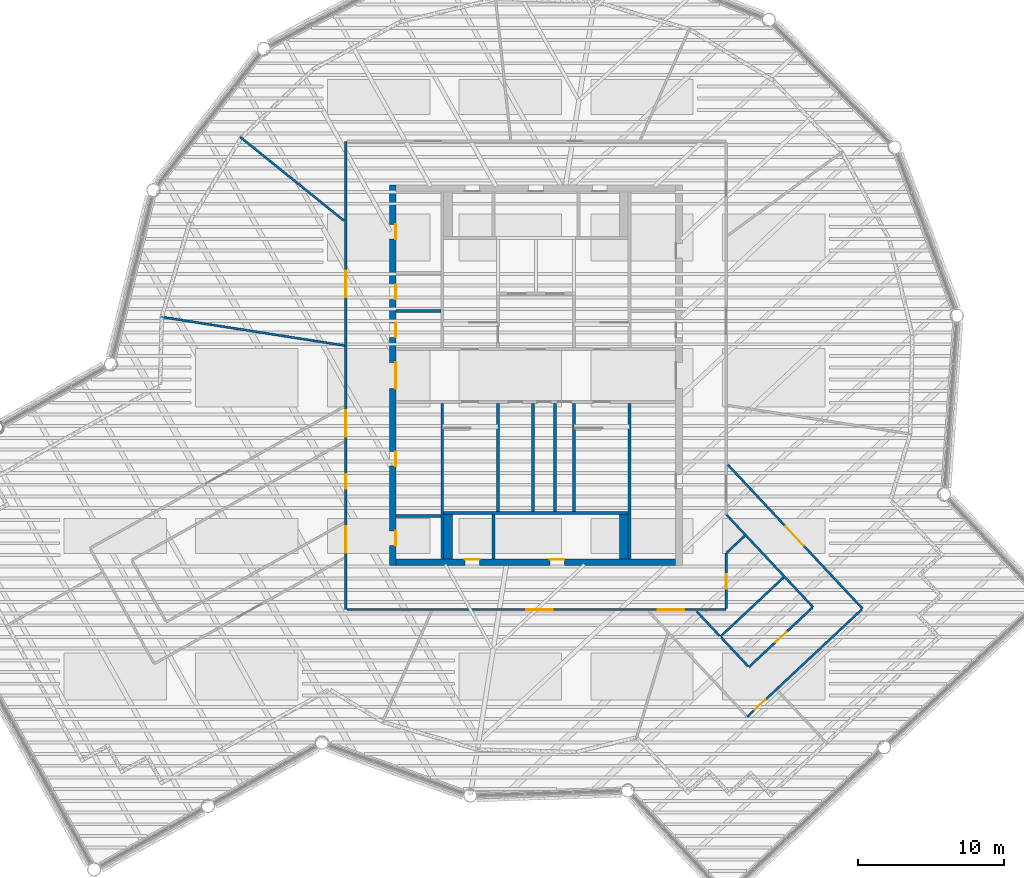
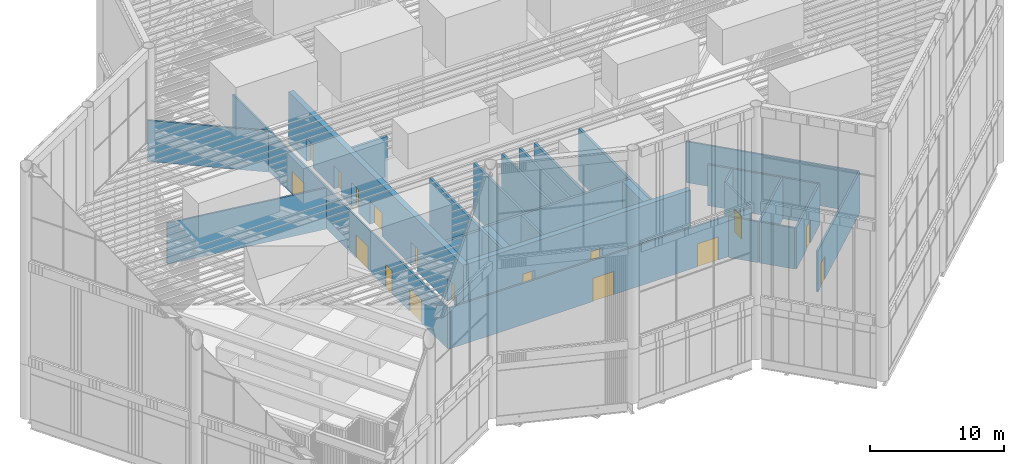
# One storey, part 82 of 117: 27 walls, 18 doors, 18 openings.
"""IFC4 building model written with IfcOpenShell, lengths in metres."""

from ifc_helpers import new_model, si_unit, direction, frame, frame_2d, origin, place, context, subcontext, project, spatial, rectangle, extrude, material, layer, layer_set, type_object, element, fill, save


model = new_model("IFC4")

# Units and contexts
model_context = context("Model", 3, precision=1e-05, world=origin(), true_north=direction((0.0, 1.0)))
body_context = subcontext(model_context, "Body", "Model", "MODEL_VIEW")
ifc_project = project(units=[si_unit("LENGTHUNIT", "METRE"), si_unit("AREAUNIT", "SQUARE_METRE"), si_unit("VOLUMEUNIT", "CUBIC_METRE"), si_unit("PLANEANGLEUNIT", "RADIAN"), si_unit("MASSUNIT", "GRAM", prefix="KILO")], contexts=[model_context])

# Site, building, storey
site_placement = place(None, origin())
site = spatial("IfcSite", under=ifc_project, at=site_placement, CompositionType="ELEMENT")
building_placement = place(site_placement, origin())
building = spatial("IfcBuilding", under=site, at=building_placement, Name="Tarsis Ring Headquarters", CompositionType="ELEMENT")
storey_placement = place(building_placement, frame((0.0, 0.0, 403.60009765625)))
storey = spatial("IfcBuildingStorey", under=building, at=storey_placement, Name="L95", CompositionType="ELEMENT", Elevation=403.60009765625)

# Walls
ifc_material_1 = material(Name="Blockwork", Category="masonry")
ifc_layer_1 = layer(ifc_material_1, 0.199951171875)
ifc_layer_set_1 = layer_set([ifc_layer_1], Name="Core blockwork wall 200")
wall_type_1 = type_object("IfcWallType", Name="Core blockwork wall 200", PredefinedType="PARTITIONING", material=ifc_layer_set_1)
for number, where, z_axis, x_axis, name in (
    (1, (-9.550048828125, -9.60009765625, 0.0), (0.0, 0.0, 1.0), (1.0, 0.0, 0.0), "Core partition WD1"),
    (2, (-9.550048828125, 4.39990234375, 0.0), (0.0, 0.0, 1.0), (1.0, 0.0, 0.0), "Core partition WD5"),
    (3, (-2.89990234375, -12.550048828125, 0.0), (0.0, 0.0, 1.0), (0.0, 1.0, 0.0), "Core partition SD1"),
):
    element("IfcWall", number, at=place(storey_placement, frame(where, z_axis=z_axis, x_axis=x_axis)), inside=storey, type_object=wall_type_1, Name=name, PredefinedType="PARTITIONING", context=body_context, shape_type="SweptSolid", body=[
        extrude(rectangle(XDim=3.050048828125, YDim=0.199951171875, at=frame_2d((1.52490234375, 0.0))), origin(), (0.0, 0.0, 1.0), 4.699951171875),
    ])
for number, where, z_axis, x_axis, name in (
    (4, (-0.199951171875, -9.300048828125, 0.0), (0.0, 0.0, 1.0), (0.0, 1.0, 0.0), "Core partition SV1"),
    (5, (1.300048828125, -9.300048828125, 0.0), (0.0, 0.0, 1.0), (0.0, 1.0, 0.0), "Core partition SV2"),
):
    element("IfcWall", number, at=place(storey_placement, frame(where, z_axis=z_axis, x_axis=x_axis)), inside=storey, type_object=wall_type_1, Name=name, PredefinedType="PARTITIONING", context=body_context, shape_type="SweptSolid", body=[
        extrude(rectangle(XDim=7.400146484375, YDim=0.199951171875, at=frame_2d((3.7001953125, 0.0))), origin(), (0.0, 0.0, 1.0), 4.699951171875),
    ])

# Wall, openings, doors
ifc_material_2 = material(Name="Concrete C50/60", Category="concrete")
ifc_layer_2 = layer(ifc_material_2, 0.449951171875)
ifc_layer_set_2 = layer_set([ifc_layer_2], Name="Core wall 450 C50/60")
wall_type_2 = type_object("IfcWallType", Name="Core wall 450 C50/60", PredefinedType="SHEAR", material=ifc_layer_set_2)
wall_1_placement = place(storey_placement, frame((-9.77490234375, -13.0, 0.0), z_axis=(0.0, 0.0, 1.0), x_axis=(0.0, 1.0, 0.0)))
wall_1 = element("IfcWall", 6, at=wall_1_placement, inside=storey, type_object=wall_type_2, Name="Core wall OW", PredefinedType="SHEAR", context=body_context, shape_type="SweptSolid", body=[
    extrude(rectangle(XDim=26.0, YDim=0.449951171875, at=frame_2d((13.0, 0.0))), origin(), (0.0, 0.0, 1.0), 4.699951171875),
])
opening_1_placement = place(wall_1_placement, frame((1.375, 0.0, 0.0)))
opening_1 = element("IfcOpeningElement", 7, at=opening_1_placement, cuts=wall_1, Name="Opening L95-C01", PredefinedType="OPENING", context=body_context, shape_type="SweptSolid", body=[
    extrude(rectangle(XDim=1.0, YDim=2.10009765625, at=frame_2d((0.5, 1.050048828125))), frame((0.0, 0.23486328125, 0.0), z_axis=(0.0, -1.0, 0.0), x_axis=(1.0, 0.0, 0.0)), (0.0, 0.0, 1.0), 0.469970703125),
])
opening_2_placement = place(wall_1_placement, frame((6.800048828125, 0.0, 0.0)))
opening_2 = element("IfcOpeningElement", 8, at=opening_2_placement, cuts=wall_1, Name="Opening L95-C02", PredefinedType="OPENING", context=body_context, shape_type="SweptSolid", body=[
    extrude(rectangle(XDim=1.0, YDim=2.10009765625, at=frame_2d((0.5, 1.050048828125))), frame((0.0, 0.23486328125, 0.0), z_axis=(0.0, -1.0, 0.0), x_axis=(1.0, 0.0, 0.0)), (0.0, 0.0, 1.0), 0.469970703125),
])
opening_3_placement = place(wall_1_placement, frame((12.10009765625, 0.0, 0.0)))
opening_3 = element("IfcOpeningElement", 9, at=opening_3_placement, cuts=wall_1, Name="Opening L95-C03", PredefinedType="OPENING", context=body_context, shape_type="SweptSolid", body=[
    extrude(rectangle(XDim=1.800048828125, YDim=2.10009765625, at=frame_2d((0.89990234375, 1.050048828125))), frame((0.0, 0.23486328125, 0.0), z_axis=(0.0, -1.0, 0.0), x_axis=(1.0, 0.0, 0.0)), (0.0, 0.0, 1.0), 0.469970703125),
])
opening_4_placement = place(wall_1_placement, frame((15.60009765625, 0.0, 0.0)))
opening_4 = element("IfcOpeningElement", 10, at=opening_4_placement, cuts=wall_1, Name="Opening L95-C04", PredefinedType="OPENING", context=body_context, shape_type="SweptSolid", body=[
    extrude(rectangle(XDim=1.0, YDim=2.10009765625, at=frame_2d((0.5, 1.050048828125))), frame((0.0, 0.23486328125, 0.0), z_axis=(0.0, -1.0, 0.0), x_axis=(1.0, 0.0, 0.0)), (0.0, 0.0, 1.0), 0.469970703125),
])
opening_5_placement = place(wall_1_placement, frame((18.199951171875, 0.0, 0.0)))
opening_5 = element("IfcOpeningElement", 11, at=opening_5_placement, cuts=wall_1, Name="Opening L95-C05", PredefinedType="OPENING", context=body_context, shape_type="SweptSolid", body=[
    extrude(rectangle(XDim=1.0, YDim=2.10009765625, at=frame_2d((0.5, 1.050048828125))), frame((0.0, 0.23486328125, 0.0), z_axis=(0.0, -1.0, 0.0), x_axis=(1.0, 0.0, 0.0)), (0.0, 0.0, 1.0), 0.469970703125),
])
opening_6_placement = place(wall_1_placement, frame((22.324951171875, 0.0, 0.0)))
opening_6 = element("IfcOpeningElement", 12, at=opening_6_placement, cuts=wall_1, Name="Opening L95-C06", PredefinedType="OPENING", context=body_context, shape_type="SweptSolid", body=[
    extrude(rectangle(XDim=1.0, YDim=2.10009765625, at=frame_2d((0.5, 1.050048828125))), frame((0.0, 0.23486328125, 0.0), z_axis=(0.0, -1.0, 0.0), x_axis=(1.0, 0.0, 0.0)), (0.0, 0.0, 1.0), 0.469970703125),
])
ifc_material_3 = material(Name="Steel S355", Category="steel")
door_type_1 = type_object("IfcDoorType", Name="Core entry door 1800x2100", OperationType="DOUBLE_DOOR_SINGLE_SWING", PredefinedType="DOOR", material=ifc_material_3)
door_1_placement = place(opening_3_placement, origin())
door_1 = element("IfcDoor", 13, at=door_1_placement, inside=storey, type_object=door_type_1, Name="Core entry door L95", OperationType="DOUBLE_DOOR_SINGLE_SWING", OverallHeight=2.10009765625, OverallWidth=1.800048828125, PredefinedType="DOOR", context=body_context, shape_type="SweptSolid", body=[
    extrude(rectangle(XDim=1.800048828125, YDim=2.10009765625, at=frame_2d((0.89990234375, 1.050048828125))), frame((0.0, -0.1748046875, 0.0), z_axis=(0.0, -1.0, 0.0), x_axis=(1.0, 0.0, 0.0)), (0.0, 0.0, 1.0), 0.050048828125),
])
fill(opening_3, door_1)
door_type_2 = type_object("IfcDoorType", Name="Core room door 1000x2100", OperationType="SINGLE_SWING_LEFT", PredefinedType="DOOR", material=ifc_material_3)
door_2_placement = place(opening_1_placement, origin())
door_2 = element("IfcDoor", 14, at=door_2_placement, inside=storey, type_object=door_type_2, Name="Core room door L95", OperationType="SINGLE_SWING_LEFT", OverallHeight=2.10009765625, OverallWidth=1.0, PredefinedType="DOOR", context=body_context, shape_type="SweptSolid", body=[
    extrude(rectangle(XDim=1.0, YDim=2.10009765625, at=frame_2d((0.5, 1.050048828125))), frame((0.0, -0.1748046875, 0.0), z_axis=(0.0, -1.0, 0.0), x_axis=(1.0, 0.0, 0.0)), (0.0, 0.0, 1.0), 0.050048828125),
])
fill(opening_1, door_2)
door_3_placement = place(opening_2_placement, origin())
door_3 = element("IfcDoor", 15, at=door_3_placement, inside=storey, type_object=door_type_2, Name="Core room door L95", OperationType="SINGLE_SWING_LEFT", OverallHeight=2.10009765625, OverallWidth=1.0, PredefinedType="DOOR", context=body_context, shape_type="SweptSolid", body=[
    extrude(rectangle(XDim=1.0, YDim=2.10009765625, at=frame_2d((0.5, 1.050048828125))), frame((0.0, -0.1748046875, 0.0), z_axis=(0.0, -1.0, 0.0), x_axis=(1.0, 0.0, 0.0)), (0.0, 0.0, 1.0), 0.050048828125),
])
fill(opening_2, door_3)
door_4_placement = place(opening_4_placement, origin())
door_4 = element("IfcDoor", 16, at=door_4_placement, inside=storey, type_object=door_type_2, Name="Core room door L95", OperationType="SINGLE_SWING_LEFT", OverallHeight=2.10009765625, OverallWidth=1.0, PredefinedType="DOOR", context=body_context, shape_type="SweptSolid", body=[
    extrude(rectangle(XDim=1.0, YDim=2.10009765625, at=frame_2d((0.5, 1.050048828125))), frame((0.0, -0.1748046875, 0.0), z_axis=(0.0, -1.0, 0.0), x_axis=(1.0, 0.0, 0.0)), (0.0, 0.0, 1.0), 0.050048828125),
])
fill(opening_4, door_4)
door_5_placement = place(opening_5_placement, origin())
door_5 = element("IfcDoor", 17, at=door_5_placement, inside=storey, type_object=door_type_2, Name="Core room door L95", OperationType="SINGLE_SWING_LEFT", OverallHeight=2.10009765625, OverallWidth=1.0, PredefinedType="DOOR", context=body_context, shape_type="SweptSolid", body=[
    extrude(rectangle(XDim=1.0, YDim=2.10009765625, at=frame_2d((0.5, 1.050048828125))), frame((0.0, -0.1748046875, 0.0), z_axis=(0.0, -1.0, 0.0), x_axis=(1.0, 0.0, 0.0)), (0.0, 0.0, 1.0), 0.050048828125),
])
fill(opening_5, door_5)
door_6_placement = place(opening_6_placement, origin())
door_6 = element("IfcDoor", 18, at=door_6_placement, inside=storey, type_object=door_type_2, Name="Core room door L95", OperationType="SINGLE_SWING_LEFT", OverallHeight=2.10009765625, OverallWidth=1.0, PredefinedType="DOOR", context=body_context, shape_type="SweptSolid", body=[
    extrude(rectangle(XDim=1.0, YDim=2.10009765625, at=frame_2d((0.5, 1.050048828125))), frame((0.0, -0.1748046875, 0.0), z_axis=(0.0, -1.0, 0.0), x_axis=(1.0, 0.0, 0.0)), (0.0, 0.0, 1.0), 0.050048828125),
])
fill(opening_6, door_6)

wall_2_placement = place(storey_placement, frame((-9.550048828125, -12.77490234375, 0.0), z_axis=(0.0, 0.0, 1.0), x_axis=(1.0, 0.0, 0.0)))
wall_2 = element("IfcWall", 19, at=wall_2_placement, inside=storey, type_object=wall_type_2, Name="Core wall OS", PredefinedType="SHEAR", context=body_context, shape_type="SweptSolid", body=[
    extrude(rectangle(XDim=19.10009765625, YDim=0.449951171875, at=frame_2d((9.550048828125, 0.0))), origin(), (0.0, 0.0, 1.0), 4.699951171875),
])
opening_7_placement = place(wall_2_placement, frame((4.699951171875, 0.0, 0.0)))
opening_7 = element("IfcOpeningElement", 20, at=opening_7_placement, cuts=wall_2, Name="Opening L95-C14", PredefinedType="OPENING", context=body_context, shape_type="SweptSolid", body=[
    extrude(rectangle(XDim=1.0, YDim=2.10009765625, at=frame_2d((0.5, 1.050048828125))), frame((0.0, 0.23486328125, 0.0), z_axis=(0.0, -1.0, 0.0), x_axis=(1.0, 0.0, 0.0)), (0.0, 0.0, 1.0), 0.469970703125),
])
opening_8_placement = place(wall_2_placement, frame((10.5, 0.0, 0.0)))
opening_8 = element("IfcOpeningElement", 21, at=opening_8_placement, cuts=wall_2, Name="Opening L95-C15", PredefinedType="OPENING", context=body_context, shape_type="SweptSolid", body=[
    extrude(rectangle(XDim=1.0, YDim=2.10009765625, at=frame_2d((0.5, 1.050048828125))), frame((0.0, 0.23486328125, 0.0), z_axis=(0.0, -1.0, 0.0), x_axis=(1.0, 0.0, 0.0)), (0.0, 0.0, 1.0), 0.469970703125),
])
door_7_placement = place(opening_7_placement, origin())
door_7 = element("IfcDoor", 22, at=door_7_placement, inside=storey, type_object=door_type_2, Name="Core room door L95", OperationType="SINGLE_SWING_LEFT", OverallHeight=2.10009765625, OverallWidth=1.0, PredefinedType="DOOR", context=body_context, shape_type="SweptSolid", body=[
    extrude(rectangle(XDim=1.0, YDim=2.10009765625, at=frame_2d((0.5, 1.050048828125))), frame((0.0, 0.22509765625, 0.0), z_axis=(0.0, -1.0, 0.0), x_axis=(1.0, 0.0, 0.0)), (0.0, 0.0, 1.0), 0.050048828125),
])
fill(opening_7, door_7)
door_8_placement = place(opening_8_placement, origin())
door_8 = element("IfcDoor", 23, at=door_8_placement, inside=storey, type_object=door_type_2, Name="Core room door L95", OperationType="SINGLE_SWING_LEFT", OverallHeight=2.10009765625, OverallWidth=1.0, PredefinedType="DOOR", context=body_context, shape_type="SweptSolid", body=[
    extrude(rectangle(XDim=1.0, YDim=2.10009765625, at=frame_2d((0.5, 1.050048828125))), frame((0.0, 0.22509765625, 0.0), z_axis=(0.0, -1.0, 0.0), x_axis=(1.0, 0.0, 0.0)), (0.0, 0.0, 1.0), 0.050048828125),
])
fill(opening_8, door_8)

ifc_material_4 = material(Name="Gypsum board on steel studs", Category="steel")
ifc_layer_3 = layer(ifc_material_4, 0.14990234375)
ifc_layer_set_3 = layer_set([ifc_layer_3], Name="FL partition 150 EI 120 H3730")
wall_type_3 = type_object("IfcWallType", Name="FL partition 150 EI 120 H3730", PredefinedType="PARTITIONING", material=ifc_layer_set_3)
wall_3_placement = place(storey_placement, frame((-13.0, -16.0, 0.0), z_axis=(0.0, 0.0, 1.0), x_axis=(0.0, 1.0, 0.0)))
wall_3 = element("IfcWall", 24, at=wall_3_placement, inside=storey, type_object=wall_type_3, Name="Partition PW2H373", PredefinedType="PARTITIONING", context=body_context, shape_type="SweptSolid", body=[
    extrude(rectangle(XDim=32.0, YDim=0.14990234375, at=frame_2d((16.0, 0.0))), origin(), (0.0, 0.0, 1.0), 3.72998046875),
])
opening_9_placement = place(wall_3_placement, frame((21.356689453125, 0.0, 0.0)))
opening_9 = element("IfcOpeningElement", 25, at=opening_9_placement, cuts=wall_3, Name="Opening D95.03", PredefinedType="OPENING", context=body_context, shape_type="SweptSolid", body=[
    extrude(rectangle(XDim=1.800048828125, YDim=2.10009765625, at=frame_2d((0.89990234375, 1.050048828125))), frame((0.0, 0.0849609375, 0.0), z_axis=(0.0, -1.0, 0.0), x_axis=(1.0, 0.0, 0.0)), (0.0, 0.0, 1.0), 0.169921875),
])
opening_10_placement = place(wall_3_placement, frame((8.25830078125, 0.0, 0.0)))
opening_10 = element("IfcOpeningElement", 26, at=opening_10_placement, cuts=wall_3, Name="Opening D95.11", PredefinedType="OPENING", context=body_context, shape_type="SweptSolid", body=[
    extrude(rectangle(XDim=1.0, YDim=2.10009765625, at=frame_2d((0.5, 1.050048828125))), frame((0.0, 0.0849609375, 0.0), z_axis=(0.0, -1.0, 0.0), x_axis=(1.0, 0.0, 0.0)), (0.0, 0.0, 1.0), 0.169921875),
])
opening_11_placement = place(wall_3_placement, frame((3.88623046875, 0.0, 0.0)))
opening_11 = element("IfcOpeningElement", 27, at=opening_11_placement, cuts=wall_3, Name="Opening D95.16", PredefinedType="OPENING", context=body_context, shape_type="SweptSolid", body=[
    extrude(rectangle(XDim=1.800048828125, YDim=2.10009765625, at=frame_2d((0.89990234375, 1.050048828125))), frame((0.0, 0.0849609375, 0.0), z_axis=(0.0, -1.0, 0.0), x_axis=(1.0, 0.0, 0.0)), (0.0, 0.0, 1.0), 0.169921875),
])
opening_12_placement = place(wall_3_placement, frame((11.830322265625, 0.0, 0.0)))
opening_12 = element("IfcOpeningElement", 28, at=opening_12_placement, cuts=wall_3, Name="Opening D95.17", PredefinedType="OPENING", context=body_context, shape_type="SweptSolid", body=[
    extrude(rectangle(XDim=1.800048828125, YDim=2.10009765625, at=frame_2d((0.89990234375, 1.050048828125))), frame((0.0, 0.0849609375, 0.0), z_axis=(0.0, -1.0, 0.0), x_axis=(1.0, 0.0, 0.0)), (0.0, 0.0, 1.0), 0.169921875),
])
ifc_material_5 = material(Name="Fire-rated timber door leaf in steel frame", Category="steel")
door_type_3 = type_object("IfcDoorType", Name="FL door FD120-1000", OperationType="NOTDEFINED", PredefinedType="DOOR", material=ifc_material_5)
door_9_placement = place(opening_10_placement, origin())
door_9 = element("IfcDoor", 29, at=door_9_placement, inside=storey, type_object=door_type_3, Name="Door D95.11", OperationType="SINGLE_SWING_RIGHT", OverallHeight=2.10009765625, OverallWidth=1.0, PredefinedType="DOOR", context=body_context, shape_type="SweptSolid", body=[
    extrude(rectangle(XDim=1.0, YDim=2.10009765625, at=frame_2d((0.5, 1.050048828125))), frame((0.0, 0.02490234375, 0.0), z_axis=(0.0, -1.0, 0.0), x_axis=(1.0, 0.0, 0.0)), (0.0, 0.0, 1.0), 0.050048828125),
])
fill(opening_10, door_9)
door_type_4 = type_object("IfcDoorType", Name="FL door FD120-1800", OperationType="DOUBLE_DOOR_SINGLE_SWING", PredefinedType="DOOR", material=ifc_material_5)
door_10_placement = place(opening_9_placement, origin())
door_10 = element("IfcDoor", 30, at=door_10_placement, inside=storey, type_object=door_type_4, Name="Door D95.03", OperationType="DOUBLE_DOOR_SINGLE_SWING", OverallHeight=2.10009765625, OverallWidth=1.800048828125, PredefinedType="DOOR", context=body_context, shape_type="SweptSolid", body=[
    extrude(rectangle(XDim=1.800048828125, YDim=2.10009765625, at=frame_2d((0.89990234375, 1.050048828125))), frame((0.0, 0.02490234375, 0.0), z_axis=(0.0, -1.0, 0.0), x_axis=(1.0, 0.0, 0.0)), (0.0, 0.0, 1.0), 0.050048828125),
])
fill(opening_9, door_10)
door_11_placement = place(opening_11_placement, origin())
door_11 = element("IfcDoor", 31, at=door_11_placement, inside=storey, type_object=door_type_4, Name="Door D95.16", OperationType="DOUBLE_DOOR_SINGLE_SWING", OverallHeight=2.10009765625, OverallWidth=1.800048828125, PredefinedType="DOOR", context=body_context, shape_type="SweptSolid", body=[
    extrude(rectangle(XDim=1.800048828125, YDim=2.10009765625, at=frame_2d((0.89990234375, 1.050048828125))), frame((0.0, 0.02490234375, 0.0), z_axis=(0.0, -1.0, 0.0), x_axis=(1.0, 0.0, 0.0)), (0.0, 0.0, 1.0), 0.050048828125),
])
fill(opening_11, door_11)
door_12_placement = place(opening_12_placement, origin())
door_12 = element("IfcDoor", 32, at=door_12_placement, inside=storey, type_object=door_type_4, Name="Door D95.17", OperationType="DOUBLE_DOOR_SINGLE_SWING", OverallHeight=2.10009765625, OverallWidth=1.800048828125, PredefinedType="DOOR", context=body_context, shape_type="SweptSolid", body=[
    extrude(rectangle(XDim=1.800048828125, YDim=2.10009765625, at=frame_2d((0.89990234375, 1.050048828125))), frame((0.0, 0.02490234375, 0.0), z_axis=(0.0, -1.0, 0.0), x_axis=(1.0, 0.0, 0.0)), (0.0, 0.0, 1.0), 0.050048828125),
])
fill(opening_12, door_12)

wall_4_placement = place(storey_placement, frame((-12.919921875, -16.0, 0.0), z_axis=(0.0, 0.0, 1.0), x_axis=(1.0, 0.0, 0.0)))
wall_4 = element("IfcWall", 33, at=wall_4_placement, inside=storey, type_object=wall_type_3, Name="Partition PW2H373", PredefinedType="PARTITIONING", context=body_context, shape_type="SweptSolid", body=[
    extrude(rectangle(XDim=25.9189453125, YDim=0.14990234375, at=frame_2d((12.95947265625, 0.0))), origin(), (0.0, 0.0, 1.0), 3.72998046875),
])
opening_13_placement = place(wall_4_placement, frame((12.270751953125, 0.0, 0.0)))
opening_13 = element("IfcOpeningElement", 34, at=opening_13_placement, cuts=wall_4, Name="Opening D95.10", PredefinedType="OPENING", context=body_context, shape_type="SweptSolid", body=[
    extrude(rectangle(XDim=1.800048828125, YDim=2.10009765625, at=frame_2d((0.89990234375, 1.050048828125))), frame((0.0, 0.0849609375, 0.0), z_axis=(0.0, -1.0, 0.0), x_axis=(1.0, 0.0, 0.0)), (0.0, 0.0, 1.0), 0.169921875),
])
opening_14_placement = place(wall_4_placement, frame((21.2490234375, 0.0, 0.0)))
opening_14 = element("IfcOpeningElement", 35, at=opening_14_placement, cuts=wall_4, Name="Opening D95.14", PredefinedType="OPENING", context=body_context, shape_type="SweptSolid", body=[
    extrude(rectangle(XDim=1.800048828125, YDim=2.10009765625, at=frame_2d((0.89990234375, 1.050048828125))), frame((0.0, 0.0849609375, 0.0), z_axis=(0.0, -1.0, 0.0), x_axis=(1.0, 0.0, 0.0)), (0.0, 0.0, 1.0), 0.169921875),
])
door_13_placement = place(opening_13_placement, origin())
door_13 = element("IfcDoor", 36, at=door_13_placement, inside=storey, type_object=door_type_4, Name="Door D95.10", OperationType="DOUBLE_DOOR_SINGLE_SWING", OverallHeight=2.10009765625, OverallWidth=1.800048828125, PredefinedType="DOOR", context=body_context, shape_type="SweptSolid", body=[
    extrude(rectangle(XDim=1.800048828125, YDim=2.10009765625, at=frame_2d((0.89990234375, 1.050048828125))), frame((0.0, 0.02490234375, 0.0), z_axis=(0.0, -1.0, 0.0), x_axis=(1.0, 0.0, 0.0)), (0.0, 0.0, 1.0), 0.050048828125),
])
fill(opening_13, door_13)
door_14_placement = place(opening_14_placement, origin())
door_14 = element("IfcDoor", 37, at=door_14_placement, inside=storey, type_object=door_type_4, Name="Door D95.14", OperationType="DOUBLE_DOOR_SINGLE_SWING", OverallHeight=2.10009765625, OverallWidth=1.800048828125, PredefinedType="DOOR", context=body_context, shape_type="SweptSolid", body=[
    extrude(rectangle(XDim=1.800048828125, YDim=2.10009765625, at=frame_2d((0.89990234375, 1.050048828125))), frame((0.0, 0.02490234375, 0.0), z_axis=(0.0, -1.0, 0.0), x_axis=(1.0, 0.0, 0.0)), (0.0, 0.0, 1.0), 0.050048828125),
])
fill(opening_14, door_14)

# Wall, opening, door
wall_5_placement = place(storey_placement, frame((13.1162109375, -6.106201171875, 0.0), z_axis=(0.0, 0.0, 1.0), x_axis=(0.683531578778, -0.729920941481, 0.0)))
wall_5 = element("IfcWall", 38, at=wall_5_placement, inside=storey, type_object=wall_type_3, Name="Partition PW2H373", PredefinedType="PARTITIONING", context=body_context, shape_type="SweptSolid", body=[
    extrude(rectangle(XDim=13.4677734375, YDim=0.14990234375, at=frame_2d((6.73388671875, 0.0))), origin(), (0.0, 0.0, 1.0), 3.72998046875),
])
opening_15_placement = place(wall_5_placement, frame((5.748779296875, 0.0, 0.0)))
opening_15 = element("IfcOpeningElement", 39, at=opening_15_placement, cuts=wall_5, Name="Opening D95.08", PredefinedType="OPENING", context=body_context, shape_type="SweptSolid", body=[
    extrude(rectangle(XDim=1.800048828125, YDim=2.10009765625, at=frame_2d((0.89990234375, 1.050048828125))), frame((0.0, 0.0849609375, 0.0), z_axis=(0.0, -1.0, 0.0), x_axis=(1.0, 0.0, 0.0)), (0.0, 0.0, 1.0), 0.169921875),
])
door_15_placement = place(opening_15_placement, origin())
door_15 = element("IfcDoor", 40, at=door_15_placement, inside=storey, type_object=door_type_4, Name="Door D95.08", OperationType="DOUBLE_DOOR_SINGLE_SWING", OverallHeight=2.10009765625, OverallWidth=1.800048828125, PredefinedType="DOOR", context=body_context, shape_type="SweptSolid", body=[
    extrude(rectangle(XDim=1.800048828125, YDim=2.10009765625, at=frame_2d((0.89990234375, 1.050048828125))), frame((0.0, 0.02490234375, 0.0), z_axis=(0.0, -1.0, 0.0), x_axis=(1.0, 0.0, 0.0)), (0.0, 0.0, 1.0), 0.050048828125),
])
fill(opening_15, door_15)

# Wall
wall_6_placement = place(storey_placement, frame((-25.63671875, 4.005615234375, 0.0), z_axis=(0.0, 0.0, 1.0), x_axis=(0.988011667522, -0.154379224121, 0.0)))
element("IfcWall", 41, at=wall_6_placement, inside=storey, type_object=wall_type_3, Name="Partition PW2H373", PredefinedType="PARTITIONING", context=body_context, shape_type="SweptSolid", body=[
    extrude(rectangle(XDim=12.7099609375, YDim=0.14990234375, at=frame_2d((6.35498046875, 0.0))), origin(), (0.0, 0.0, 1.0), 3.72998046875),
])

# Wall, opening, door
wall_7_placement = place(storey_placement, frame((14.4384765625, -23.318603515625, 0.0), z_axis=(0.0, 0.0, 1.0), x_axis=(0.729922029357, 0.68353041707, 0.0)))
wall_7 = element("IfcWall", 42, at=wall_7_placement, inside=storey, type_object=wall_type_3, Name="Partition PW2H373", PredefinedType="PARTITIONING", context=body_context, shape_type="SweptSolid", body=[
    extrude(rectangle(XDim=10.719970703125, YDim=0.14990234375, at=frame_2d((5.35986328125, 0.0))), origin(), (0.0, 0.0, 1.0), 3.72998046875),
])
opening_16_placement = place(wall_7_placement, frame((0.699951171875, 0.0, 0.0)))
opening_16 = element("IfcOpeningElement", 43, at=opening_16_placement, cuts=wall_7, Name="Opening D95.09", PredefinedType="OPENING", context=body_context, shape_type="SweptSolid", body=[
    extrude(rectangle(XDim=1.0, YDim=2.10009765625, at=frame_2d((0.5, 1.050048828125))), frame((0.0, 0.0849609375, 0.0), z_axis=(0.0, -1.0, 0.0), x_axis=(1.0, 0.0, 0.0)), (0.0, 0.0, 1.0), 0.169921875),
])
door_16_placement = place(opening_16_placement, origin())
door_16 = element("IfcDoor", 44, at=door_16_placement, inside=storey, type_object=door_type_3, Name="Door D95.09", OperationType="SINGLE_SWING_RIGHT", OverallHeight=2.10009765625, OverallWidth=1.0, PredefinedType="DOOR", context=body_context, shape_type="SweptSolid", body=[
    extrude(rectangle(XDim=1.0, YDim=2.10009765625, at=frame_2d((0.5, 1.050048828125))), frame((0.0, 0.02490234375, 0.0), z_axis=(0.0, -1.0, 0.0), x_axis=(1.0, 0.0, 0.0)), (0.0, 0.0, 1.0), 0.050048828125),
])
fill(opening_16, door_16)

# Walls
wall_8_placement = place(storey_placement, frame((-20.199462890625, 16.287109375, 0.0), z_axis=(0.0, 0.0, 1.0), x_axis=(0.778475567575, -0.627674908443, 0.0)))
element("IfcWall", 45, at=wall_8_placement, inside=storey, type_object=wall_type_3, Name="Partition PW2H373", PredefinedType="PARTITIONING", context=body_context, shape_type="SweptSolid", body=[
    extrude(rectangle(XDim=9.1083984375, YDim=0.14990234375, at=frame_2d((4.55419921875, 0.0))), origin(), (0.0, 0.0, 1.0), 3.72998046875),
])
wall_9_placement = place(storey_placement, frame((13.02734375, -9.522705078125, 0.0), z_axis=(0.0, 0.0, 1.0), x_axis=(0.683541300479, -0.729911837512, 0.0)))
element("IfcWall", 46, at=wall_9_placement, inside=storey, type_object=wall_type_3, Name="Partition PW2H373", PredefinedType="PARTITIONING", context=body_context, shape_type="SweptSolid", body=[
    extrude(rectangle(XDim=8.634521484375, YDim=0.14990234375, at=frame_2d((4.3173828125, 0.0))), origin(), (0.0, 0.0, 1.0), 3.72998046875),
])
wall_10_placement = place(storey_placement, frame((12.601806640625, -17.84619140625, 0.0), z_axis=(0.0, 0.0, 1.0), x_axis=(0.729903627953, 0.683550066858, 0.0)))
element("IfcWall", 47, at=wall_10_placement, inside=storey, type_object=wall_type_3, Name="Partition PW2H373", PredefinedType="PARTITIONING", context=body_context, shape_type="SweptSolid", body=[
    extrude(rectangle(XDim=5.919921875, YDim=0.14990234375, at=frame_2d((2.9599609375, 0.0))), origin(), (0.0, 0.0, 1.0), 3.72998046875),
])

# Wall, opening, door
wall_11_placement = place(storey_placement, frame((14.5498046875, -19.926513671875, 0.0), z_axis=(0.0, 0.0, 1.0), x_axis=(0.729922896006, 0.683529491599, 0.0)))
wall_11 = element("IfcWall", 48, at=wall_11_placement, inside=storey, type_object=wall_type_3, Name="Partition PW2H373", PredefinedType="PARTITIONING", context=body_context, shape_type="SweptSolid", body=[
    extrude(rectangle(XDim=5.920166015625, YDim=0.14990234375, at=frame_2d((2.9599609375, 0.0))), origin(), (0.0, 0.0, 1.0), 3.72998046875),
])
opening_17_placement = place(wall_11_placement, frame((2.5, 0.0, 0.0)))
opening_17 = element("IfcOpeningElement", 49, at=opening_17_placement, cuts=wall_11, Name="Opening D95.13", PredefinedType="OPENING", context=body_context, shape_type="SweptSolid", body=[
    extrude(rectangle(XDim=1.0, YDim=2.10009765625, at=frame_2d((0.5, 1.050048828125))), frame((0.0, 0.0849609375, 0.0), z_axis=(0.0, -1.0, 0.0), x_axis=(1.0, 0.0, 0.0)), (0.0, 0.0, 1.0), 0.169921875),
])
door_17_placement = place(opening_17_placement, origin())
door_17 = element("IfcDoor", 50, at=door_17_placement, inside=storey, type_object=door_type_3, Name="Door D95.13", OperationType="SINGLE_SWING_RIGHT", OverallHeight=2.10009765625, OverallWidth=1.0, PredefinedType="DOOR", context=body_context, shape_type="SweptSolid", body=[
    extrude(rectangle(XDim=1.0, YDim=2.10009765625, at=frame_2d((0.5, 1.050048828125))), frame((0.0, 0.02490234375, 0.0), z_axis=(0.0, -1.0, 0.0), x_axis=(1.0, 0.0, 0.0)), (0.0, 0.0, 1.0), 0.050048828125),
])
fill(opening_17, door_17)

# Walls
wall_12_placement = place(storey_placement, frame((10.982421875, -16.11669921875, 0.0), z_axis=(0.0, 0.0, 1.0), x_axis=(0.68347375642, -0.729975084702, 0.0)))
element("IfcWall", 51, at=wall_12_placement, inside=storey, type_object=wall_type_3, Name="Partition PW2H373", PredefinedType="PARTITIONING", context=body_context, shape_type="SweptSolid", body=[
    extrude(rectangle(XDim=2.29443359375, YDim=0.14990234375, at=frame_2d((1.147216796875, 0.0))), origin(), (0.0, 0.0, 1.0), 3.72998046875),
])
wall_13_placement = place(storey_placement, frame((12.653076171875, -17.90087890625, 0.0), z_axis=(0.0, 0.0, 1.0), x_axis=(0.683534195623, -0.729918490939, 0.0)))
element("IfcWall", 52, at=wall_13_placement, inside=storey, type_object=wall_type_3, Name="Partition PW2H373", PredefinedType="PARTITIONING", context=body_context, shape_type="SweptSolid", body=[
    extrude(rectangle(XDim=2.69482421875, YDim=0.14990234375, at=frame_2d((1.347412109375, 0.0))), origin(), (0.0, 0.0, 1.0), 3.72998046875),
])

# Wall, opening, door
wall_14_placement = place(storey_placement, frame((13.0, -15.9189453125, 0.0), z_axis=(0.0, 0.0, 1.0), x_axis=(0.0, 1.0, 0.0)))
wall_14 = element("IfcWall", 53, at=wall_14_placement, inside=storey, type_object=wall_type_3, Name="Partition PW2H373", PredefinedType="PARTITIONING", context=body_context, shape_type="SweptSolid", body=[
    extrude(rectangle(XDim=3.772216796875, YDim=0.14990234375, at=frame_2d((1.88623046875, 0.0))), origin(), (0.0, 0.0, 1.0), 3.72998046875),
])
opening_18_placement = place(wall_14_placement, frame((1.34619140625, 0.0, 0.0)))
opening_18 = element("IfcOpeningElement", 54, at=opening_18_placement, cuts=wall_14, Name="Opening D95.12", PredefinedType="OPENING", context=body_context, shape_type="SweptSolid", body=[
    extrude(rectangle(XDim=1.0, YDim=2.10009765625, at=frame_2d((0.5, 1.050048828125))), frame((0.0, 0.0849609375, 0.0), z_axis=(0.0, -1.0, 0.0), x_axis=(1.0, 0.0, 0.0)), (0.0, 0.0, 1.0), 0.169921875),
])
door_18_placement = place(opening_18_placement, origin())
door_18 = element("IfcDoor", 55, at=door_18_placement, inside=storey, type_object=door_type_3, Name="Door D95.12", OperationType="SINGLE_SWING_LEFT", OverallHeight=2.10009765625, OverallWidth=1.0, PredefinedType="DOOR", context=body_context, shape_type="SweptSolid", body=[
    extrude(rectangle(XDim=1.0, YDim=2.10009765625, at=frame_2d((0.5, 1.050048828125))), frame((0.0, 0.02490234375, 0.0), z_axis=(0.0, -1.0, 0.0), x_axis=(1.0, 0.0, 0.0)), (0.0, 0.0, 1.0), 0.050048828125),
])
fill(opening_18, door_18)

# Walls
wall_15_placement = place(storey_placement, frame((13.03515625, -12.111083984375, 0.0), z_axis=(0.0, 0.0, 1.0), x_axis=(0.729858205849, 0.683598565939, 0.0)))
element("IfcWall", 56, at=wall_15_placement, inside=storey, type_object=wall_type_3, Name="Partition PW2H373", PredefinedType="PARTITIONING", context=body_context, shape_type="SweptSolid", body=[
    extrude(rectangle(XDim=1.68359375, YDim=0.14990234375, at=frame_2d((0.841796875, 0.0))), origin(), (0.0, 0.0, 1.0), 3.72998046875),
])
ifc_material_6 = material(Name="Concrete C32/40", Category="concrete")
ifc_layer_4 = layer(ifc_material_6, 0.60009765625)
ifc_layer_set_4 = layer_set([ifc_layer_4], Name="Shaft end wall 600 C32/40")
wall_type_4 = type_object("IfcWallType", Name="Shaft end wall 600 C32/40", PredefinedType="SOLIDWALL", material=ifc_layer_set_4)
for number, where, z_axis, x_axis, name in (
    (57, (-6.0, -12.550048828125, 0.0), (0.0, 0.0, 1.0), (0.0, 1.0, 0.0), "Core shaft wall SNE1"),
    (58, (6.0, -12.550048828125, 0.0), (0.0, 0.0, 1.0), (0.0, 1.0, 0.0), "Core shaft wall SNE2"),
):
    element("IfcWall", number, at=place(storey_placement, frame(where, z_axis=z_axis, x_axis=x_axis)), inside=storey, type_object=wall_type_4, Name=name, PredefinedType="SOLIDWALL", context=body_context, shape_type="SweptSolid", body=[
        extrude(rectangle(XDim=3.050048828125, YDim=0.60009765625, at=frame_2d((1.52490234375, 0.0))), origin(), (0.0, 0.0, 1.0), 4.699951171875),
    ])
ifc_layer_5 = layer(ifc_material_6, 0.199951171875)
ifc_layer_set_5 = layer_set([ifc_layer_5], Name="Shaft wall 200 C32/40")
wall_type_5 = type_object("IfcWallType", Name="Shaft wall 200 C32/40", PredefinedType="SOLIDWALL", material=ifc_layer_set_5)
for number, where, z_axis, x_axis, name in (
    (59, (-6.39990234375, -12.550048828125, 0.0), (0.0, 0.0, 1.0), (0.0, 1.0, 0.0), "Core shaft wall WB1"),
    (60, (6.39990234375, -12.550048828125, 0.0), (0.0, 0.0, 1.0), (0.0, 1.0, 0.0), "Core shaft wall EB1"),
):
    element("IfcWall", number, at=place(storey_placement, frame(where, z_axis=z_axis, x_axis=x_axis)), inside=storey, type_object=wall_type_5, Name=name, PredefinedType="SOLIDWALL", context=body_context, shape_type="SweptSolid", body=[
        extrude(rectangle(XDim=10.650146484375, YDim=0.199951171875, at=frame_2d((5.3251953125, 0.0))), origin(), (0.0, 0.0, 1.0), 4.699951171875),
    ])
wall_16_placement = place(storey_placement, frame((-6.300048828125, -9.39990234375, 0.0), z_axis=(0.0, 0.0, 1.0), x_axis=(1.0, 0.0, 0.0)))
element("IfcWall", 61, at=wall_16_placement, inside=storey, type_object=wall_type_5, Name="Core shaft wall SB", PredefinedType="SOLIDWALL", context=body_context, shape_type="SweptSolid", body=[
    extrude(rectangle(XDim=12.60009765625, YDim=0.199951171875, at=frame_2d((6.300048828125, 0.0))), origin(), (0.0, 0.0, 1.0), 4.699951171875),
])
for number, where, z_axis, x_axis, name in (
    (62, (-2.60009765625, -9.300048828125, 0.0), (0.0, 0.0, 1.0), (0.0, 1.0, 0.0), "Core shaft wall SW3"),
    (63, (2.60009765625, -9.300048828125, 0.0), (0.0, 0.0, 1.0), (0.0, 1.0, 0.0), "Core shaft wall SW4"),
):
    element("IfcWall", number, at=place(storey_placement, frame(where, z_axis=z_axis, x_axis=x_axis)), inside=storey, type_object=wall_type_5, Name=name, PredefinedType="SOLIDWALL", context=body_context, shape_type="SweptSolid", body=[
        extrude(rectangle(XDim=7.400146484375, YDim=0.199951171875, at=frame_2d((3.7001953125, 0.0))), origin(), (0.0, 0.0, 1.0), 4.699951171875),
    ])

save(model, "model.ifc")
